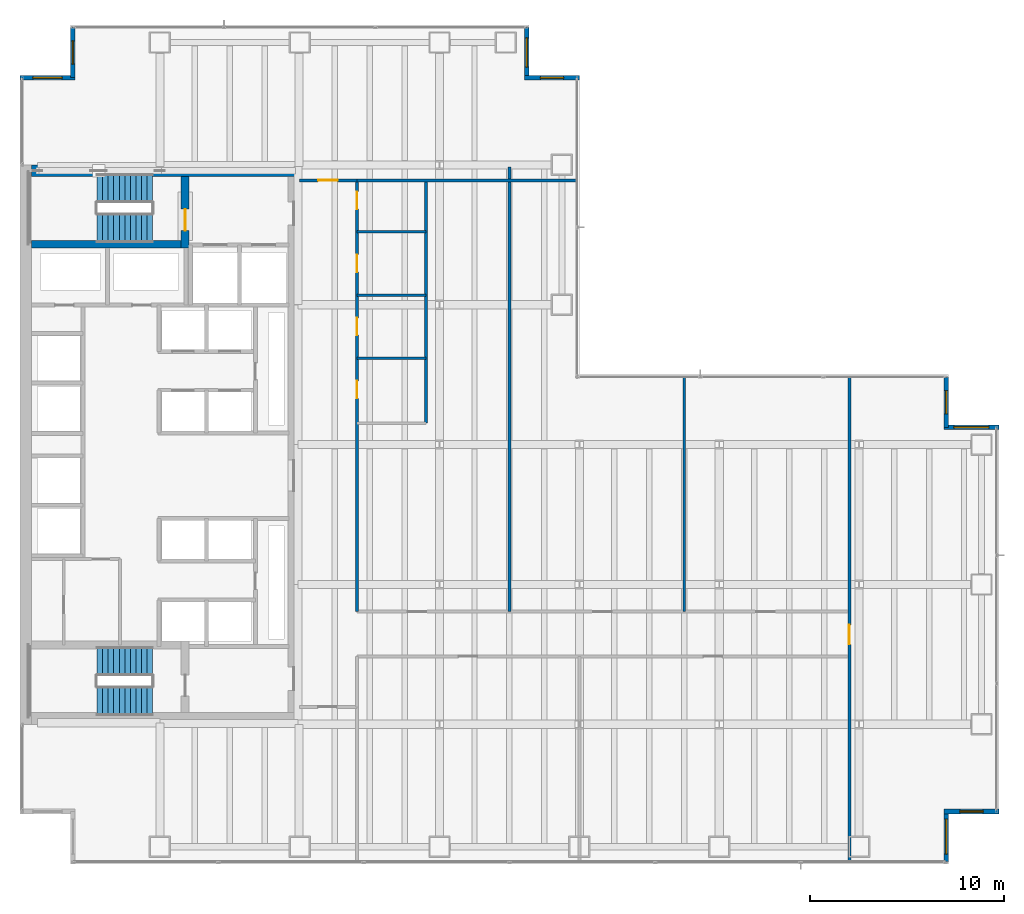
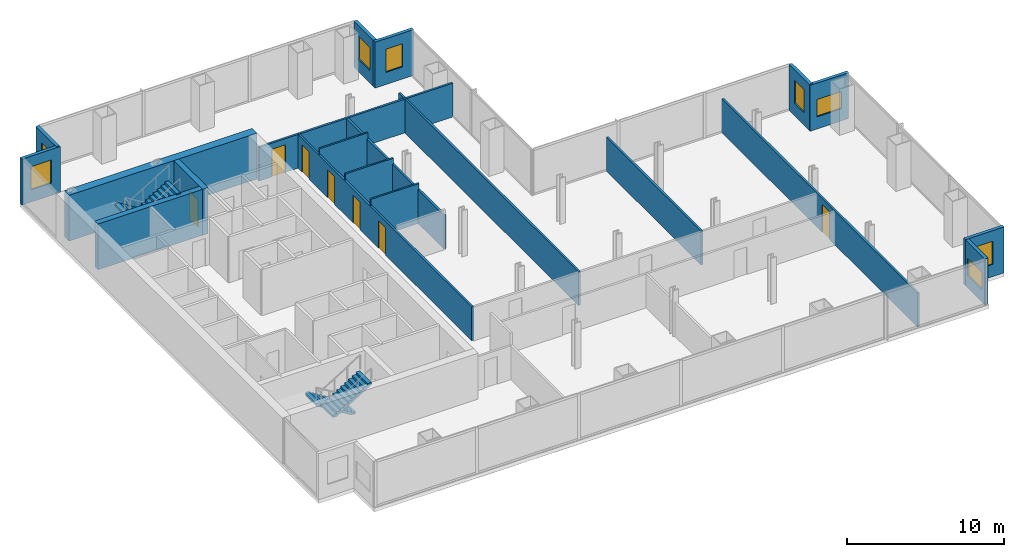
# One storey, part 22 of 25: 21 walls, 8 windows, 7 doors, 4 stair flights, 15 openings, 2 elements without a shape of their own.
"""IFC4 building model written with IfcOpenShell, lengths in metres."""

from ifc_helpers import new_model, si_unit, direction, frame, frame_2d, origin, place, context, subcontext, project, spatial, polyline, rectangle, outline, extrude, material, layer, layer_set, type_object, element, fill, aggregate, save


model = new_model("IFC4")

# Units and contexts
model_context = context("Model", 3, precision=1e-05, world=origin(), true_north=direction((0.0, 1.0)))
body_context = subcontext(model_context, "Body", "Model", "MODEL_VIEW")
ifc_project = project(units=[si_unit("LENGTHUNIT", "METRE"), si_unit("AREAUNIT", "SQUARE_METRE"), si_unit("VOLUMEUNIT", "CUBIC_METRE"), si_unit("PLANEANGLEUNIT", "RADIAN"), si_unit("MASSUNIT", "GRAM", prefix="KILO")], contexts=[model_context])

# Site, building, storey
site_placement = place(None, origin())
site = spatial("IfcSite", under=ifc_project, at=site_placement, CompositionType="ELEMENT")
building_placement = place(site_placement, origin())
building = spatial("IfcBuilding", under=site, at=building_placement, Name="Cobrela Telecom Tower", CompositionType="ELEMENT")
storey_placement = place(building_placement, frame((0.0, 0.0, 35.0)))
storey = spatial("IfcBuildingStorey", under=building, at=storey_placement, Name="L08", CompositionType="ELEMENT", Elevation=35.0)

# Wall
ifc_material_1 = material(Name="Concrete C50/60", Category="concrete")
ifc_layer_1 = layer(ifc_material_1, 0.60009765625)
ifc_layer_set_1 = layer_set([ifc_layer_1], Name="Concrete C50/60")
wall_type_1 = type_object("IfcWallType", Name="WALL-CORE-C50-600", PredefinedType="SHEAR", material=ifc_layer_set_1)
wall_1_placement = place(storey_placement, frame((0.60009765625, 35.699951171875, 0.0), z_axis=(0.0, 0.0, 1.0), x_axis=(1.0, 0.0, 0.0)))
element("IfcWall", 1, at=wall_1_placement, inside=storey, type_object=wall_type_1, Name="L08 North Core Shear Wall", PredefinedType="SHEAR", context=body_context, shape_type="SweptSolid", body=[
    extrude(rectangle(XDim=13.7998046875, YDim=0.60009765625, at=frame_2d((6.89990234375, 0.0))), origin(), (0.0, 0.0, 1.0), 3.570068359375),
])

# Wall, opening, window
ifc_material_2 = material(Name="Concrete C40/50", Category="concrete")
ifc_layer_2 = layer(ifc_material_2, 0.239990234375)
ifc_layer_set_2 = layer_set([ifc_layer_2], Name="Concrete C40/50")
wall_type_2 = type_object("IfcWallType", Name="WALL-EXT-300", PredefinedType="STANDARD", material=ifc_layer_set_2)
wall_2_placement = place(storey_placement, frame((0.0, 40.489990234375, 0.0), z_axis=(0.0, 0.0, 1.0), x_axis=(1.0, 0.0, 0.0)))
wall_2 = element("IfcWall", 2, at=wall_2_placement, inside=storey, type_object=wall_type_2, Name="L08 Insulated Facade Wall 05", PredefinedType="STANDARD", context=body_context, shape_type="SweptSolid", body=[
    extrude(rectangle(XDim=2.830078125, YDim=0.239990234375, at=frame_2d((1.4150390625, 0.0))), origin(), (0.0, 0.0, 1.0), 3.570068359375),
])
opening_1_placement = place(wall_2_placement, frame((0.6650390625, 0.0, 0.949951171875)))
opening_1 = element("IfcOpeningElement", 3, at=opening_1_placement, cuts=wall_2, Name="Opening WN-45", PredefinedType="OPENING", context=body_context, shape_type="SweptSolid", body=[
    extrude(rectangle(XDim=1.5, YDim=1.800048828125, at=frame_2d((0.75, 0.89990234375))), frame((0.0, 0.1318359375, 0.0), z_axis=(0.0, -1.0, 0.0), x_axis=(1.0, 0.0, 0.0)), (0.0, 0.0, 1.0), 0.263916015625),
])
ifc_material_3 = material(Name="Solar-Control Bronze Low-E Glass", Category="glass")
window_type_1 = type_object("IfcWindowType", Name="WIN-MOD-1500", PartitioningType="SINGLE_PANEL", PredefinedType="WINDOW", material=ifc_material_3)
window_1_placement = place(opening_1_placement, origin())
window_1 = element("IfcWindow", 4, at=window_1_placement, inside=storey, type_object=window_type_1, Name="L08 Corner Notch Facade Window 032", OverallHeight=1.800048828125, OverallWidth=1.5, PartitioningType="SINGLE_PANEL", PredefinedType="WINDOW", context=body_context, shape_type="SweptSolid", body=[
    extrude(rectangle(XDim=1.5, YDim=1.800048828125, at=frame_2d((0.75, 0.89990234375))), frame((0.0, 0.030029296875, 0.0), z_axis=(0.0, -1.0, 0.0), x_axis=(1.0, 0.0, 0.0)), (0.0, 0.0, 1.0), 0.06005859375),
])
fill(opening_1, window_1)

wall_3_placement = place(storey_placement, frame((2.7099609375, 40.489990234375, 0.0), z_axis=(0.0, 0.0, 1.0), x_axis=(0.0, 1.0, 0.0)))
wall_3 = element("IfcWall", 5, at=wall_3_placement, inside=storey, type_object=wall_type_2, Name="L08 Insulated Facade Wall 06", PredefinedType="STANDARD", context=body_context, shape_type="SweptSolid", body=[
    extrude(rectangle(XDim=2.590087890625, YDim=0.239990234375, at=frame_2d((1.294921875, 0.0))), origin(), (0.0, 0.0, 1.0), 3.570068359375),
])
opening_2_placement = place(wall_3_placement, frame((0.695068359375, 0.0, 0.949951171875)))
opening_2 = element("IfcOpeningElement", 6, at=opening_2_placement, cuts=wall_3, Name="Opening WN-19", PredefinedType="OPENING", context=body_context, shape_type="SweptSolid", body=[
    extrude(rectangle(XDim=1.199951171875, YDim=1.800048828125, at=frame_2d((0.60009765625, 0.89990234375))), frame((0.0, 0.1318359375, 0.0), z_axis=(0.0, -1.0, 0.0), x_axis=(1.0, 0.0, 0.0)), (0.0, 0.0, 1.0), 0.263916015625),
])
window_type_2 = type_object("IfcWindowType", Name="WIN-MOD-1200", PartitioningType="SINGLE_PANEL", PredefinedType="WINDOW", material=ifc_material_3)
window_2_placement = place(opening_2_placement, origin())
window_2 = element("IfcWindow", 7, at=window_2_placement, inside=storey, type_object=window_type_2, Name="L08 Corner Notch Facade Window 033", OverallHeight=1.800048828125, OverallWidth=1.199951171875, PartitioningType="SINGLE_PANEL", PredefinedType="WINDOW", context=body_context, shape_type="SweptSolid", body=[
    extrude(rectangle(XDim=1.199951171875, YDim=1.800048828125, at=frame_2d((0.60009765625, 0.89990234375))), frame((0.0, 0.030029296875, 0.0), z_axis=(0.0, -1.0, 0.0), x_axis=(1.0, 0.0, 0.0)), (0.0, 0.0, 1.0), 0.06005859375),
])
fill(opening_2, window_2)

wall_4_placement = place(storey_placement, frame((26.090087890625, 43.080078125, 0.0), z_axis=(0.0, 0.0, 1.0), x_axis=(0.0, -1.0, 0.0)))
wall_4 = element("IfcWall", 8, at=wall_4_placement, inside=storey, type_object=wall_type_2, Name="L08 Insulated Facade Wall 08", PredefinedType="STANDARD", context=body_context, shape_type="SweptSolid", body=[
    extrude(rectangle(XDim=2.590087890625, YDim=0.239990234375, at=frame_2d((1.294921875, 0.0))), origin(), (0.0, 0.0, 1.0), 3.570068359375),
])
opening_3_placement = place(wall_4_placement, frame((0.544921875, 0.0, 0.949951171875)))
opening_3 = element("IfcOpeningElement", 9, at=opening_3_placement, cuts=wall_4, Name="Opening WN-45", PredefinedType="OPENING", context=body_context, shape_type="SweptSolid", body=[
    extrude(rectangle(XDim=1.5, YDim=1.800048828125, at=frame_2d((0.75, 0.89990234375))), frame((0.0, 0.1318359375, 0.0), z_axis=(0.0, -1.0, 0.0), x_axis=(1.0, 0.0, 0.0)), (0.0, 0.0, 1.0), 0.263916015625),
])
window_3_placement = place(opening_3_placement, origin())
window_3 = element("IfcWindow", 10, at=window_3_placement, inside=storey, type_object=window_type_1, Name="L08 Corner Notch Facade Window 034", OverallHeight=1.800048828125, OverallWidth=1.5, PartitioningType="SINGLE_PANEL", PredefinedType="WINDOW", context=body_context, shape_type="SweptSolid", body=[
    extrude(rectangle(XDim=1.5, YDim=1.800048828125, at=frame_2d((0.75, 0.89990234375))), frame((0.0, 0.030029296875, 0.0), z_axis=(0.0, -1.0, 0.0), x_axis=(1.0, 0.0, 0.0)), (0.0, 0.0, 1.0), 0.06005859375),
])
fill(opening_3, window_3)

wall_5_placement = place(storey_placement, frame((25.969970703125, 40.489990234375, 0.0), z_axis=(0.0, 0.0, 1.0), x_axis=(1.0, 0.0, 0.0)))
wall_5 = element("IfcWall", 11, at=wall_5_placement, inside=storey, type_object=wall_type_2, Name="L08 Insulated Facade Wall 09", PredefinedType="STANDARD", context=body_context, shape_type="SweptSolid", body=[
    extrude(rectangle(XDim=2.830078125, YDim=0.239990234375, at=frame_2d((1.4150390625, 0.0))), origin(), (0.0, 0.0, 1.0), 3.570068359375),
])
opening_4_placement = place(wall_5_placement, frame((0.81494140625, 0.0, 0.949951171875)))
opening_4 = element("IfcOpeningElement", 12, at=opening_4_placement, cuts=wall_5, Name="Opening WN-19", PredefinedType="OPENING", context=body_context, shape_type="SweptSolid", body=[
    extrude(rectangle(XDim=1.199951171875, YDim=1.800048828125, at=frame_2d((0.60009765625, 0.89990234375))), frame((0.0, 0.1318359375, 0.0), z_axis=(0.0, -1.0, 0.0), x_axis=(1.0, 0.0, 0.0)), (0.0, 0.0, 1.0), 0.263916015625),
])
window_4_placement = place(opening_4_placement, origin())
window_4 = element("IfcWindow", 13, at=window_4_placement, inside=storey, type_object=window_type_2, Name="L08 Corner Notch Facade Window 035", OverallHeight=1.800048828125, OverallWidth=1.199951171875, PartitioningType="SINGLE_PANEL", PredefinedType="WINDOW", context=body_context, shape_type="SweptSolid", body=[
    extrude(rectangle(XDim=1.199951171875, YDim=1.800048828125, at=frame_2d((0.60009765625, 0.89990234375))), frame((0.0, 0.030029296875, 0.0), z_axis=(0.0, -1.0, 0.0), x_axis=(1.0, 0.0, 0.0)), (0.0, 0.0, 1.0), 0.06005859375),
])
fill(opening_4, window_4)

wall_6_placement = place(storey_placement, frame((47.68994140625, 25.080078125, 0.0), z_axis=(0.0, 0.0, 1.0), x_axis=(0.0, -1.0, 0.0)))
wall_6 = element("IfcWall", 14, at=wall_6_placement, inside=storey, type_object=wall_type_2, Name="L08 Insulated Facade Wall 12", PredefinedType="STANDARD", context=body_context, shape_type="SweptSolid", body=[
    extrude(rectangle(XDim=2.590087890625, YDim=0.239990234375, at=frame_2d((1.294921875, 0.0))), origin(), (0.0, 0.0, 1.0), 3.570068359375),
])
opening_5_placement = place(wall_6_placement, frame((0.695068359375, 0.0, 0.949951171875)))
opening_5 = element("IfcOpeningElement", 15, at=opening_5_placement, cuts=wall_6, Name="Opening WN-19", PredefinedType="OPENING", context=body_context, shape_type="SweptSolid", body=[
    extrude(rectangle(XDim=1.199951171875, YDim=1.800048828125, at=frame_2d((0.60009765625, 0.89990234375))), frame((0.0, 0.1318359375, 0.0), z_axis=(0.0, -1.0, 0.0), x_axis=(1.0, 0.0, 0.0)), (0.0, 0.0, 1.0), 0.263916015625),
])
window_5_placement = place(opening_5_placement, origin())
window_5 = element("IfcWindow", 16, at=window_5_placement, inside=storey, type_object=window_type_2, Name="L08 Corner Notch Facade Window 036", OverallHeight=1.800048828125, OverallWidth=1.199951171875, PartitioningType="SINGLE_PANEL", PredefinedType="WINDOW", context=body_context, shape_type="SweptSolid", body=[
    extrude(rectangle(XDim=1.199951171875, YDim=1.800048828125, at=frame_2d((0.60009765625, 0.89990234375))), frame((0.0, 0.030029296875, 0.0), z_axis=(0.0, -1.0, 0.0), x_axis=(1.0, 0.0, 0.0)), (0.0, 0.0, 1.0), 0.06005859375),
])
fill(opening_5, window_5)

wall_7_placement = place(storey_placement, frame((47.570068359375, 22.489990234375, 0.0), z_axis=(0.0, 0.0, 1.0), x_axis=(1.0, 0.0, 0.0)))
wall_7 = element("IfcWall", 17, at=wall_7_placement, inside=storey, type_object=wall_type_2, Name="L08 Insulated Facade Wall 13", PredefinedType="STANDARD", context=body_context, shape_type="SweptSolid", body=[
    extrude(rectangle(XDim=2.829833984375, YDim=0.239990234375, at=frame_2d((1.4150390625, 0.0))), origin(), (0.0, 0.0, 1.0), 3.570068359375),
])
opening_6_placement = place(wall_7_placement, frame((0.514892578125, 0.0, 0.949951171875)))
opening_6 = element("IfcOpeningElement", 18, at=opening_6_placement, cuts=wall_7, Name="Opening WN-27", PredefinedType="OPENING", context=body_context, shape_type="SweptSolid", body=[
    extrude(rectangle(XDim=1.800048828125, YDim=1.35009765625, at=frame_2d((0.89990234375, 0.675048828125))), frame((0.0, 0.1318359375, 0.0), z_axis=(0.0, -1.0, 0.0), x_axis=(1.0, 0.0, 0.0)), (0.0, 0.0, 1.0), 0.263916015625),
])
window_type_3 = type_object("IfcWindowType", Name="WIN-CLER-1800", PartitioningType="SINGLE_PANEL", PredefinedType="WINDOW", material=ifc_material_3)
window_6_placement = place(opening_6_placement, origin())
window_6 = element("IfcWindow", 19, at=window_6_placement, inside=storey, type_object=window_type_3, Name="L08 Corner Notch Facade Window 037", OverallHeight=1.35009765625, OverallWidth=1.800048828125, PartitioningType="SINGLE_PANEL", PredefinedType="WINDOW", context=body_context, shape_type="SweptSolid", body=[
    extrude(rectangle(XDim=1.800048828125, YDim=1.35009765625, at=frame_2d((0.89990234375, 0.675048828125))), frame((0.0, 0.030029296875, 0.0), z_axis=(0.0, -1.0, 0.0), x_axis=(1.0, 0.0, 0.0)), (0.0, 0.0, 1.0), 0.06005859375),
])
fill(opening_6, window_6)

wall_8_placement = place(storey_placement, frame((50.39990234375, 2.7099609375, 0.0), z_axis=(0.0, 0.0, 1.0), x_axis=(-1.0, 0.0, 0.0)))
wall_8 = element("IfcWall", 20, at=wall_8_placement, inside=storey, type_object=wall_type_2, Name="L08 Insulated Facade Wall 15", PredefinedType="STANDARD", context=body_context, shape_type="SweptSolid", body=[
    extrude(rectangle(XDim=2.829833984375, YDim=0.239990234375, at=frame_2d((1.4150390625, 0.0))), origin(), (0.0, 0.0, 1.0), 3.570068359375),
])
opening_7_placement = place(wall_8_placement, frame((0.81494140625, 0.0, 0.949951171875)))
opening_7 = element("IfcOpeningElement", 21, at=opening_7_placement, cuts=wall_8, Name="Opening WN-19", PredefinedType="OPENING", context=body_context, shape_type="SweptSolid", body=[
    extrude(rectangle(XDim=1.199951171875, YDim=1.800048828125, at=frame_2d((0.60009765625, 0.89990234375))), frame((0.0, 0.1318359375, 0.0), z_axis=(0.0, -1.0, 0.0), x_axis=(1.0, 0.0, 0.0)), (0.0, 0.0, 1.0), 0.263916015625),
])
window_7_placement = place(opening_7_placement, origin())
window_7 = element("IfcWindow", 22, at=window_7_placement, inside=storey, type_object=window_type_2, Name="L08 Corner Notch Facade Window 038", OverallHeight=1.800048828125, OverallWidth=1.199951171875, PartitioningType="SINGLE_PANEL", PredefinedType="WINDOW", context=body_context, shape_type="SweptSolid", body=[
    extrude(rectangle(XDim=1.199951171875, YDim=1.800048828125, at=frame_2d((0.60009765625, 0.89990234375))), frame((0.0, 0.030029296875, 0.0), z_axis=(0.0, -1.0, 0.0), x_axis=(1.0, 0.0, 0.0)), (0.0, 0.0, 1.0), 0.06005859375),
])
fill(opening_7, window_7)

wall_9_placement = place(storey_placement, frame((47.68994140625, 2.7099609375, 0.0), z_axis=(0.0, 0.0, 1.0), x_axis=(0.0, -1.0, 0.0)))
wall_9 = element("IfcWall", 23, at=wall_9_placement, inside=storey, type_object=wall_type_2, Name="L08 Insulated Facade Wall 16", PredefinedType="STANDARD", context=body_context, shape_type="SweptSolid", body=[
    extrude(rectangle(XDim=2.58984375, YDim=0.239990234375, at=frame_2d((1.294921875, 0.0))), origin(), (0.0, 0.0, 1.0), 3.570068359375),
])
opening_8_placement = place(wall_9_placement, frame((0.39501953125, 0.0, 0.949951171875)))
opening_8 = element("IfcOpeningElement", 24, at=opening_8_placement, cuts=wall_9, Name="Opening WN-27", PredefinedType="OPENING", context=body_context, shape_type="SweptSolid", body=[
    extrude(rectangle(XDim=1.800048828125, YDim=1.35009765625, at=frame_2d((0.89990234375, 0.675048828125))), frame((0.0, 0.1318359375, 0.0), z_axis=(0.0, -1.0, 0.0), x_axis=(1.0, 0.0, 0.0)), (0.0, 0.0, 1.0), 0.263916015625),
])
window_8_placement = place(opening_8_placement, origin())
window_8 = element("IfcWindow", 25, at=window_8_placement, inside=storey, type_object=window_type_3, Name="L08 Corner Notch Facade Window 039", OverallHeight=1.35009765625, OverallWidth=1.800048828125, PartitioningType="SINGLE_PANEL", PredefinedType="WINDOW", context=body_context, shape_type="SweptSolid", body=[
    extrude(rectangle(XDim=1.800048828125, YDim=1.35009765625, at=frame_2d((0.89990234375, 0.675048828125))), frame((0.0, 0.030029296875, 0.0), z_axis=(0.0, -1.0, 0.0), x_axis=(1.0, 0.0, 0.0)), (0.0, 0.0, 1.0), 0.06005859375),
])
fill(opening_8, window_8)

# Walls
ifc_material_4 = material(Name="Fire-Rated Gypsum Plasterboard")
ifc_layer_3 = layer(ifc_material_4, 0.125)
ifc_layer_set_3 = layer_set([ifc_layer_3], Name="Fire-Rated Gypsum Plasterboard")
wall_type_3 = type_object("IfcWallType", Name="WALL-PART-125", PredefinedType="PARTITIONING", material=ifc_layer_set_3)
for number, where, z_axis, x_axis, name in (
    (26, (17.35009765625, 26.050048828125, 0.0), (0.0, 0.0, 1.0), (1.0, 0.0, 0.0), "L08 Interior Partition W-WCD-1"),
    (27, (17.35009765625, 29.300048828125, 0.0), (0.0, 0.0, 1.0), (1.0, 0.0, 0.0), "L08 Interior Partition W-WCD-2"),
    (28, (17.35009765625, 32.550048828125, 0.0), (0.0, 0.0, 1.0), (1.0, 0.0, 0.0), "L08 Interior Partition W-WCD-3"),
):
    element("IfcWall", number, at=place(storey_placement, frame(where, z_axis=z_axis, x_axis=x_axis)), inside=storey, type_object=wall_type_3, Name=name, PredefinedType="PARTITIONING", context=body_context, shape_type="SweptSolid", body=[
        extrude(rectangle(XDim=3.5498046875, YDim=0.125, at=frame_2d((1.77490234375, 0.0))), origin(), (0.0, 0.0, 1.0), 3.087890625),
    ])

# Wall, opening, door
ifc_layer_4 = layer(ifc_material_4, 0.14990234375)
ifc_layer_set_4 = layer_set([ifc_layer_4], Name="Fire-Rated Gypsum Plasterboard")
wall_type_4 = type_object("IfcWallType", Name="WALL-PART-150", PredefinedType="PARTITIONING", material=ifc_layer_set_4)
wall_10_placement = place(storey_placement, frame((14.39990234375, 35.199951171875, 0.0), z_axis=(0.0, 0.0, 1.0), x_axis=(1.0, 0.0, 0.0)))
wall_10 = element("IfcWall", 29, at=wall_10_placement, inside=storey, type_object=wall_type_4, Name="L08 Interior Partition W-C-N0", PredefinedType="PARTITIONING", context=body_context, shape_type="SweptSolid", body=[
    extrude(rectangle(XDim=2.9501953125, YDim=0.14990234375, at=frame_2d((1.47509765625, 0.0))), origin(), (0.0, 0.0, 1.0), 2.6279296875),
])
opening_9_placement = place(wall_10_placement, frame((0.949951171875, 0.0, 0.0)))
opening_9 = element("IfcOpeningElement", 30, at=opening_9_placement, cuts=wall_10, Name="Opening DR-31", PredefinedType="OPENING", context=body_context, shape_type="SweptSolid", body=[
    extrude(rectangle(XDim=1.0, YDim=2.14990234375, at=frame_2d((0.5, 1.074951171875))), frame((0.0, 0.0869140625, 0.0), z_axis=(0.0, -1.0, 0.0), x_axis=(1.0, 0.0, 0.0)), (0.0, 0.0, 1.0), 0.173828125),
])
ifc_material_5 = material(Name="Solid Engineered Oak Timber", Category="wood")
door_type_1 = type_object("IfcDoorType", Name="DOOR-INT-1000", OperationType="SINGLE_SWING_LEFT", PredefinedType="DOOR", material=ifc_material_5)
door_1_placement = place(opening_9_placement, origin())
door_1 = element("IfcDoor", 31, at=door_1_placement, inside=storey, type_object=door_type_1, Name="L08 Door DR-31", OperationType="SINGLE_SWING_LEFT", OverallHeight=2.14990234375, OverallWidth=1.0, PredefinedType="DOOR", context=body_context, shape_type="SweptSolid", body=[
    extrude(rectangle(XDim=1.0, YDim=2.14990234375, at=frame_2d((0.5, 1.074951171875))), frame((0.0, 0.02490234375, 0.0), z_axis=(0.0, -1.0, 0.0), x_axis=(1.0, 0.0, 0.0)), (0.0, 0.0, 1.0), 0.050048828125),
])
fill(opening_9, door_1)

# Wall, openings, doors
wall_11_placement = place(storey_placement, frame((17.35009765625, 13.0, 0.0), z_axis=(0.0, 0.0, 1.0), x_axis=(0.0, 1.0, 0.0)))
wall_11 = element("IfcWall", 32, at=wall_11_placement, inside=storey, type_object=wall_type_4, Name="L08 Interior Partition W-C-E2", PredefinedType="PARTITIONING", context=body_context, shape_type="SweptSolid", body=[
    extrude(rectangle(XDim=22.199951171875, YDim=0.14990234375, at=frame_2d((11.10009765625, 0.0))), origin(), (0.0, 0.0, 1.0), 2.6279296875),
])
opening_10_placement = place(wall_11_placement, frame((10.97998046875, 0.0, 0.0)))
opening_10 = element("IfcOpeningElement", 33, at=opening_10_placement, cuts=wall_11, Name="Opening DR-41", PredefinedType="OPENING", context=body_context, shape_type="SweptSolid", body=[
    extrude(rectangle(XDim=0.89990234375, YDim=2.14990234375, at=frame_2d((0.449951171875, 1.074951171875))), frame((0.0, 0.0869140625, 0.0), z_axis=(0.0, -1.0, 0.0), x_axis=(1.0, 0.0, 0.0)), (0.0, 0.0, 1.0), 0.173828125),
])
opening_11_placement = place(wall_11_placement, frame((14.22998046875, 0.0, 0.0)))
opening_11 = element("IfcOpeningElement", 34, at=opening_11_placement, cuts=wall_11, Name="Opening DR-41", PredefinedType="OPENING", context=body_context, shape_type="SweptSolid", body=[
    extrude(rectangle(XDim=0.89990234375, YDim=2.14990234375, at=frame_2d((0.449951171875, 1.074951171875))), frame((0.0, 0.0869140625, 0.0), z_axis=(0.0, -1.0, 0.0), x_axis=(1.0, 0.0, 0.0)), (0.0, 0.0, 1.0), 0.173828125),
])
opening_12_placement = place(wall_11_placement, frame((17.47998046875, 0.0, 0.0)))
opening_12 = element("IfcOpeningElement", 35, at=opening_12_placement, cuts=wall_11, Name="Opening DR-41", PredefinedType="OPENING", context=body_context, shape_type="SweptSolid", body=[
    extrude(rectangle(XDim=0.89990234375, YDim=2.14990234375, at=frame_2d((0.449951171875, 1.074951171875))), frame((0.0, 0.0869140625, 0.0), z_axis=(0.0, -1.0, 0.0), x_axis=(1.0, 0.0, 0.0)), (0.0, 0.0, 1.0), 0.173828125),
])
opening_13_placement = place(wall_11_placement, frame((20.719970703125, 0.0, 0.0)))
opening_13 = element("IfcOpeningElement", 36, at=opening_13_placement, cuts=wall_11, Name="Opening DR-41", PredefinedType="OPENING", context=body_context, shape_type="SweptSolid", body=[
    extrude(rectangle(XDim=0.89990234375, YDim=2.14990234375, at=frame_2d((0.449951171875, 1.074951171875))), frame((0.0, 0.0869140625, 0.0), z_axis=(0.0, -1.0, 0.0), x_axis=(1.0, 0.0, 0.0)), (0.0, 0.0, 1.0), 0.173828125),
])
door_type_2 = type_object("IfcDoorType", Name="DOOR-INT-900", OperationType="SINGLE_SWING_LEFT", PredefinedType="DOOR", material=ifc_material_5)
door_2_placement = place(opening_10_placement, origin())
door_2 = element("IfcDoor", 37, at=door_2_placement, inside=storey, type_object=door_type_2, Name="L08 Door DR-41", OperationType="SINGLE_SWING_LEFT", OverallHeight=2.14990234375, OverallWidth=0.89990234375, PredefinedType="DOOR", context=body_context, shape_type="SweptSolid", body=[
    extrude(rectangle(XDim=0.89990234375, YDim=2.14990234375, at=frame_2d((0.449951171875, 1.074951171875))), frame((0.0, 0.02490234375, 0.0), z_axis=(0.0, -1.0, 0.0), x_axis=(1.0, 0.0, 0.0)), (0.0, 0.0, 1.0), 0.050048828125),
])
fill(opening_10, door_2)
door_3_placement = place(opening_11_placement, origin())
door_3 = element("IfcDoor", 38, at=door_3_placement, inside=storey, type_object=door_type_2, Name="L08 Door DR-41", OperationType="SINGLE_SWING_RIGHT", OverallHeight=2.14990234375, OverallWidth=0.89990234375, PredefinedType="DOOR", context=body_context, shape_type="SweptSolid", body=[
    extrude(rectangle(XDim=0.89990234375, YDim=2.14990234375, at=frame_2d((0.449951171875, 1.074951171875))), frame((0.0, 0.02490234375, 0.0), z_axis=(0.0, -1.0, 0.0), x_axis=(1.0, 0.0, 0.0)), (0.0, 0.0, 1.0), 0.050048828125),
])
fill(opening_11, door_3)
door_4_placement = place(opening_12_placement, origin())
door_4 = element("IfcDoor", 39, at=door_4_placement, inside=storey, type_object=door_type_2, Name="L08 Door DR-41", OperationType="SINGLE_SWING_LEFT", OverallHeight=2.14990234375, OverallWidth=0.89990234375, PredefinedType="DOOR", context=body_context, shape_type="SweptSolid", body=[
    extrude(rectangle(XDim=0.89990234375, YDim=2.14990234375, at=frame_2d((0.449951171875, 1.074951171875))), frame((0.0, 0.02490234375, 0.0), z_axis=(0.0, -1.0, 0.0), x_axis=(1.0, 0.0, 0.0)), (0.0, 0.0, 1.0), 0.050048828125),
])
fill(opening_12, door_4)
door_5_placement = place(opening_13_placement, origin())
door_5 = element("IfcDoor", 40, at=door_5_placement, inside=storey, type_object=door_type_2, Name="L08 Door DR-41", OperationType="SINGLE_SWING_RIGHT", OverallHeight=2.14990234375, OverallWidth=0.89990234375, PredefinedType="DOOR", context=body_context, shape_type="SweptSolid", body=[
    extrude(rectangle(XDim=0.89990234375, YDim=2.14990234375, at=frame_2d((0.449951171875, 1.074951171875))), frame((0.0, 0.02490234375, 0.0), z_axis=(0.0, -1.0, 0.0), x_axis=(1.0, 0.0, 0.0)), (0.0, 0.0, 1.0), 0.050048828125),
])
fill(opening_13, door_5)

# Wall, opening, door
wall_12_placement = place(storey_placement, frame((42.699951171875, 0.1201171875, 0.0), z_axis=(0.0, 0.0, 1.0), x_axis=(0.0, 1.0, 0.0)))
wall_12 = element("IfcWall", 41, at=wall_12_placement, inside=storey, type_object=wall_type_4, Name="L08 Interior Partition W-C-END", PredefinedType="PARTITIONING", context=body_context, shape_type="SweptSolid", body=[
    extrude(rectangle(XDim=24.9599609375, YDim=0.14990234375, at=frame_2d((12.47998046875, 0.0))), origin(), (0.0, 0.0, 1.0), 2.6279296875),
])
opening_14_placement = place(wall_12_placement, frame((11.199951171875, 0.0, 0.0)))
opening_14 = element("IfcOpeningElement", 42, at=opening_14_placement, cuts=wall_12, Name="Opening DR-31", PredefinedType="OPENING", context=body_context, shape_type="SweptSolid", body=[
    extrude(rectangle(XDim=1.0, YDim=2.14990234375, at=frame_2d((0.5, 1.074951171875))), frame((0.0, 0.0869140625, 0.0), z_axis=(0.0, -1.0, 0.0), x_axis=(1.0, 0.0, 0.0)), (0.0, 0.0, 1.0), 0.173828125),
])
door_6_placement = place(opening_14_placement, origin())
door_6 = element("IfcDoor", 43, at=door_6_placement, inside=storey, type_object=door_type_1, Name="L08 Door DR-31", OperationType="SINGLE_SWING_LEFT", OverallHeight=2.14990234375, OverallWidth=1.0, PredefinedType="DOOR", context=body_context, shape_type="SweptSolid", body=[
    extrude(rectangle(XDim=1.0, YDim=2.14990234375, at=frame_2d((0.5, 1.074951171875))), frame((0.0, 0.02490234375, 0.0), z_axis=(0.0, -1.0, 0.0), x_axis=(1.0, 0.0, 0.0)), (0.0, 0.0, 1.0), 0.050048828125),
])
fill(opening_14, door_6)

# Walls
wall_13_placement = place(storey_placement, frame((17.35009765625, 35.199951171875, 0.0), z_axis=(0.0, 0.0, 1.0), x_axis=(1.0, 0.0, 0.0)))
element("IfcWall", 44, at=wall_13_placement, inside=storey, type_object=wall_type_4, Name="L08 Interior Partition W-NW-S", PredefinedType="PARTITIONING", context=body_context, shape_type="SweptSolid", body=[
    extrude(rectangle(XDim=11.329833984375, YDim=0.14990234375, at=frame_2d((5.6650390625, 0.0))), origin(), (0.0, 0.0, 1.0), 2.6279296875),
])
wall_14_placement = place(storey_placement, frame((20.89990234375, 22.699951171875, 0.0), z_axis=(0.0, 0.0, 1.0), x_axis=(0.0, 1.0, 0.0)))
element("IfcWall", 45, at=wall_14_placement, inside=storey, type_object=wall_type_4, Name="L08 Interior Partition W-WC-E", PredefinedType="PARTITIONING", context=body_context, shape_type="SweptSolid", body=[
    extrude(rectangle(XDim=12.5, YDim=0.14990234375, at=frame_2d((6.25, 0.0))), origin(), (0.0, 0.0, 1.0), 2.6279296875),
])
wall_15_placement = place(storey_placement, frame((25.199951171875, 13.0, 0.0), z_axis=(0.0, 0.0, 1.0), x_axis=(0.0, 1.0, 0.0)))
element("IfcWall", 46, at=wall_15_placement, inside=storey, type_object=wall_type_4, Name="L08 Interior Partition W-NV-1", PredefinedType="PARTITIONING", context=body_context, shape_type="SweptSolid", body=[
    extrude(rectangle(XDim=22.89990234375, YDim=0.14990234375, at=frame_2d((11.449951171875, 0.0))), origin(), (0.0, 0.0, 1.0), 2.6279296875),
])
wall_16_placement = place(storey_placement, frame((34.199951171875, 13.0, 0.0), z_axis=(0.0, 0.0, 1.0), x_axis=(0.0, 1.0, 0.0)))
element("IfcWall", 47, at=wall_16_placement, inside=storey, type_object=wall_type_4, Name="L08 Interior Partition W-NV-2", PredefinedType="PARTITIONING", context=body_context, shape_type="SweptSolid", body=[
    extrude(rectangle(XDim=12.050048828125, YDim=0.14990234375, at=frame_2d((6.02490234375, 0.0))), origin(), (0.0, 0.0, 1.0), 2.6279296875),
])
ifc_layer_5 = layer(ifc_material_2, 0.39990234375)
ifc_layer_set_5 = layer_set([ifc_layer_5], Name="Concrete C40/50")
wall_type_5 = type_object("IfcWallType", Name="WALL-SHAFT-C40-400", PredefinedType="SHEAR", material=ifc_layer_set_5)
wall_17_placement = place(storey_placement, frame((0.60009765625, 31.919921875, 0.0), z_axis=(0.0, 0.0, 1.0), x_axis=(1.0, 0.0, 0.0)))
element("IfcWall", 48, at=wall_17_placement, inside=storey, type_object=wall_type_5, Name="L08 North Stair Shear Wall", PredefinedType="SHEAR", context=body_context, shape_type="SweptSolid", body=[
    extrude(rectangle(XDim=7.699951171875, YDim=0.39990234375, at=frame_2d((3.85009765625, 0.0))), origin(), (0.0, 0.0, 1.0), 3.570068359375),
])

# Wall, opening, door
wall_18_placement = place(storey_placement, frame((8.5, 31.719970703125, 0.0), z_axis=(0.0, 0.0, 1.0), x_axis=(0.0, 1.0, 0.0)))
wall_18 = element("IfcWall", 49, at=wall_18_placement, inside=storey, type_object=wall_type_5, Name="L08 North Stair Lobby Shear Wall", PredefinedType="SHEAR", context=body_context, shape_type="SweptSolid", body=[
    extrude(rectangle(XDim=3.679931640625, YDim=0.39990234375, at=frame_2d((1.83984375, 0.0))), origin(), (0.0, 0.0, 1.0), 3.570068359375),
])
opening_15_placement = place(wall_18_placement, frame((0.89990234375, 0.0, 0.0)))
opening_15 = element("IfcOpeningElement", 50, at=opening_15_placement, cuts=wall_18, Name="Opening DR-59", PredefinedType="OPENING", context=body_context, shape_type="SweptSolid", body=[
    extrude(rectangle(XDim=1.10009765625, YDim=2.14990234375, at=frame_2d((0.550048828125, 1.074951171875))), frame((0.0, 0.2119140625, 0.0), z_axis=(0.0, -1.0, 0.0), x_axis=(1.0, 0.0, 0.0)), (0.0, 0.0, 1.0), 0.423828125),
])
ifc_material_6 = material(Name="Steel ASTM A36", Category="steel")
door_type_3 = type_object("IfcDoorType", Name="DOOR-FD60-1100", OperationType="SINGLE_SWING_LEFT", PredefinedType="DOOR", material=ifc_material_6)
door_7_placement = place(opening_15_placement, origin())
door_7 = element("IfcDoor", 51, at=door_7_placement, inside=storey, type_object=door_type_3, Name="L08 Door DR-59", OperationType="SINGLE_SWING_RIGHT", OverallHeight=2.14990234375, OverallWidth=1.10009765625, PredefinedType="DOOR", context=body_context, shape_type="SweptSolid", body=[
    extrude(rectangle(XDim=1.10009765625, YDim=2.14990234375, at=frame_2d((0.550048828125, 1.074951171875))), frame((0.0, 0.02490234375, 0.0), z_axis=(0.0, -1.0, 0.0), x_axis=(1.0, 0.0, 0.0)), (0.0, 0.0, 1.0), 0.050048828125),
])
fill(opening_15, door_7)

# Stair, stair flights
stair_type = type_object("IfcStairType", Name="STAIR-CORE", PredefinedType="HALF_TURN_STAIR", material=ifc_material_2)
stair_1_placement = place(storey_placement, origin())
stair_1 = element("IfcStair", 52, at=stair_1_placement, inside=storey, type_object=stair_type, Name="L08 Smokeproof Exit Stair ST1", PredefinedType="HALF_TURN_STAIR")
stair_flight_type = type_object("IfcStairFlightType", Name="FLIGHT-CORE", PredefinedType="STRAIGHT", material=ifc_material_2)
stair_flight_1_placement = place(storey_placement, frame((6.820068359375, 34.800048828125, 0.0), z_axis=(0.0, 0.0, 1.0), x_axis=(-1.0, 0.0, 0.0)))
stair_flight_1 = element("IfcStairFlight", 53, at=stair_flight_1_placement, type_object=stair_flight_type, Name="ST1 flight 1", NumberOfRisers=11, NumberOfTreads=10, PredefinedType="STRAIGHT", RiserHeight=0.175, TreadLength=0.285, context=body_context, shape_type="SweptSolid", body=[
    extrude(outline(polyline([(0.0, 0.0), (0.0, 0.175048828125), (0.284912109375, 0.175048828125), (0.284912109375, 0.35009765625), (0.570068359375, 0.35009765625), (0.570068359375, 0.52490234375), (0.85498046875, 0.52490234375), (0.85498046875, 0.699951171875), (1.139892578125, 0.699951171875), (1.139892578125, 0.875), (1.425048828125, 0.875), (1.425048828125, 1.050048828125), (1.7099609375, 1.050048828125), (1.7099609375, 1.22509765625), (1.9951171875, 1.22509765625), (1.9951171875, 1.39990234375), (2.280029296875, 1.39990234375), (2.280029296875, 1.574951171875), (2.56494140625, 1.574951171875), (2.56494140625, 1.75), (2.85009765625, 1.75), (2.85009765625, 1.925048828125), (2.85009765625, 1.573974609375), (0.286376953125, 0.0), (0.0, 0.0)])), frame((0.0, 0.75, 0.0), z_axis=(0.0, -1.0, 0.0), x_axis=(1.0, 0.0, 0.0)), (0.0, 0.0, 1.0), 1.5),
])
stair_flight_2_placement = place(storey_placement, frame((3.969970703125, 32.75, 1.925048828125), z_axis=(0.0, 0.0, 1.0), x_axis=(1.0, 0.0, 0.0)))
stair_flight_2 = element("IfcStairFlight", 54, at=stair_flight_2_placement, type_object=stair_flight_type, Name="ST1 flight 2", NumberOfRisers=11, NumberOfTreads=10, PredefinedType="STRAIGHT", RiserHeight=0.175, TreadLength=0.285, context=body_context, shape_type="SweptSolid", body=[
    extrude(outline(polyline([(0.0, 0.0), (0.0, 0.175048828125), (0.284912109375, 0.175048828125), (0.284912109375, 0.35009765625), (0.570068359375, 0.35009765625), (0.570068359375, 0.52490234375), (0.85498046875, 0.52490234375), (0.85498046875, 0.699951171875), (1.139892578125, 0.699951171875), (1.139892578125, 0.875), (1.425048828125, 0.875), (1.425048828125, 1.050048828125), (1.7099609375, 1.050048828125), (1.7099609375, 1.22509765625), (1.9951171875, 1.22509765625), (1.9951171875, 1.39990234375), (2.280029296875, 1.39990234375), (2.280029296875, 1.574951171875), (2.56494140625, 1.574951171875), (2.56494140625, 1.75), (2.85009765625, 1.75), (2.85009765625, 1.925048828125), (2.85009765625, 1.573974609375), (0.286376953125, 0.0), (0.0, 0.0)])), frame((0.0, 0.75, 0.0), z_axis=(0.0, -1.0, 0.0), x_axis=(1.0, 0.0, 0.0)), (0.0, 0.0, 1.0), 1.5),
])
aggregate(stair_1, [stair_flight_1, stair_flight_2])

stair_2_placement = place(storey_placement, origin())
stair_2 = element("IfcStair", 55, at=stair_2_placement, inside=storey, type_object=stair_type, Name="L08 Smokeproof Exit Stair ST2", PredefinedType="HALF_TURN_STAIR")
stair_flight_3_placement = place(storey_placement, frame((6.820068359375, 10.449951171875, 0.0), z_axis=(0.0, 0.0, 1.0), x_axis=(-1.0, 0.0, 0.0)))
stair_flight_3 = element("IfcStairFlight", 56, at=stair_flight_3_placement, type_object=stair_flight_type, Name="ST2 flight 1", NumberOfRisers=11, NumberOfTreads=10, PredefinedType="STRAIGHT", RiserHeight=0.175, TreadLength=0.285, context=body_context, shape_type="SweptSolid", body=[
    extrude(outline(polyline([(0.0, 0.0), (0.0, 0.175048828125), (0.284912109375, 0.175048828125), (0.284912109375, 0.35009765625), (0.570068359375, 0.35009765625), (0.570068359375, 0.52490234375), (0.85498046875, 0.52490234375), (0.85498046875, 0.699951171875), (1.139892578125, 0.699951171875), (1.139892578125, 0.875), (1.425048828125, 0.875), (1.425048828125, 1.050048828125), (1.7099609375, 1.050048828125), (1.7099609375, 1.22509765625), (1.9951171875, 1.22509765625), (1.9951171875, 1.39990234375), (2.280029296875, 1.39990234375), (2.280029296875, 1.574951171875), (2.56494140625, 1.574951171875), (2.56494140625, 1.75), (2.85009765625, 1.75), (2.85009765625, 1.925048828125), (2.85009765625, 1.573974609375), (0.286376953125, 0.0), (0.0, 0.0)])), frame((0.0, 0.75, 0.0), z_axis=(0.0, -1.0, 0.0), x_axis=(1.0, 0.0, 0.0)), (0.0, 0.0, 1.0), 1.5),
])
stair_flight_4_placement = place(storey_placement, frame((3.969970703125, 8.39990234375, 1.925048828125), z_axis=(0.0, 0.0, 1.0), x_axis=(1.0, 0.0, 0.0)))
stair_flight_4 = element("IfcStairFlight", 57, at=stair_flight_4_placement, type_object=stair_flight_type, Name="ST2 flight 2", NumberOfRisers=11, NumberOfTreads=10, PredefinedType="STRAIGHT", RiserHeight=0.175, TreadLength=0.285, context=body_context, shape_type="SweptSolid", body=[
    extrude(outline(polyline([(0.0, 0.0), (0.0, 0.175048828125), (0.284912109375, 0.175048828125), (0.284912109375, 0.35009765625), (0.570068359375, 0.35009765625), (0.570068359375, 0.52490234375), (0.85498046875, 0.52490234375), (0.85498046875, 0.699951171875), (1.139892578125, 0.699951171875), (1.139892578125, 0.875), (1.425048828125, 0.875), (1.425048828125, 1.050048828125), (1.7099609375, 1.050048828125), (1.7099609375, 1.22509765625), (1.9951171875, 1.22509765625), (1.9951171875, 1.39990234375), (2.280029296875, 1.39990234375), (2.280029296875, 1.574951171875), (2.56494140625, 1.574951171875), (2.56494140625, 1.75), (2.85009765625, 1.75), (2.85009765625, 1.925048828125), (2.85009765625, 1.573974609375), (0.286376953125, 0.0), (0.0, 0.0)])), frame((0.0, 0.75, 0.0), z_axis=(0.0, -1.0, 0.0), x_axis=(1.0, 0.0, 0.0)), (0.0, 0.0, 1.0), 1.5),
])
aggregate(stair_2, [stair_flight_3, stair_flight_4])

save(model, "model.ifc")
